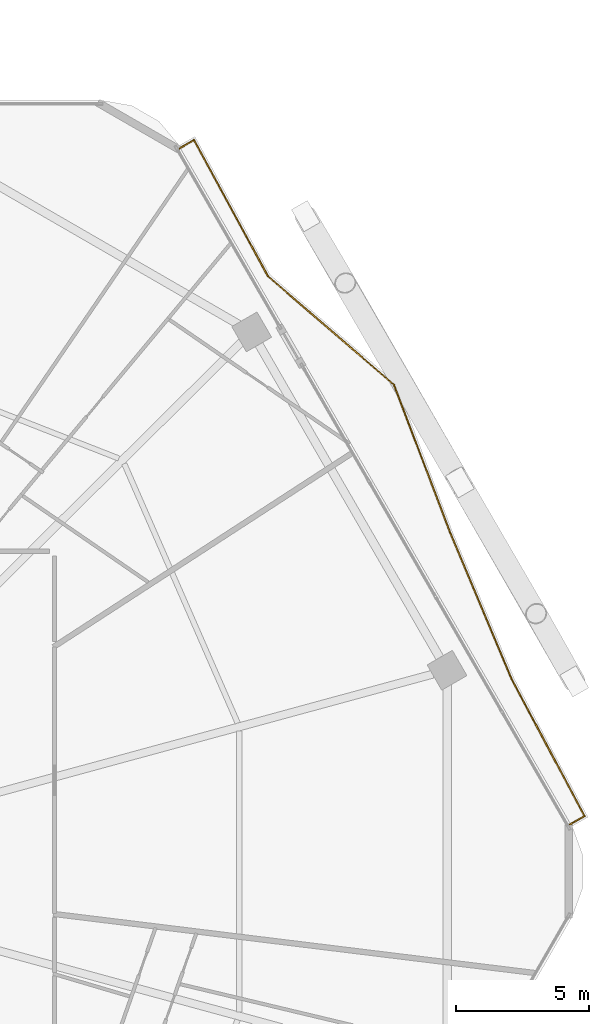
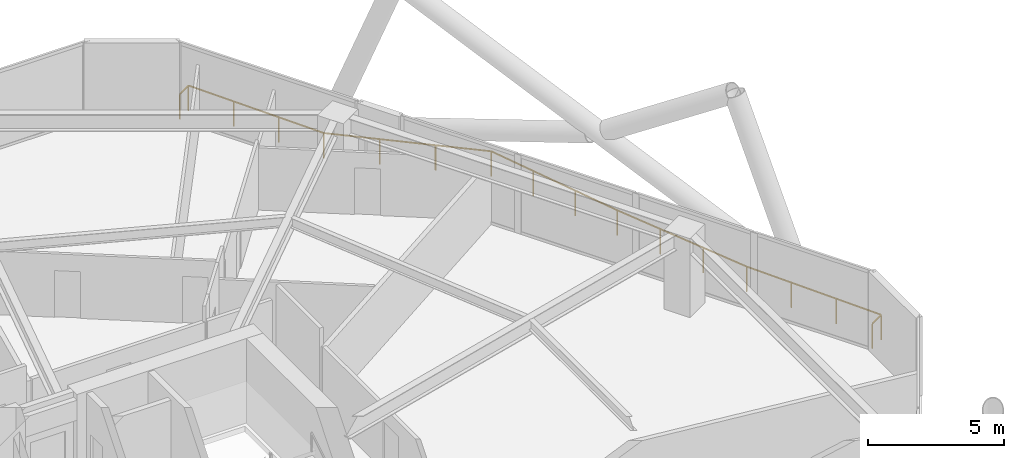
# One storey, part 35 of 35: 1 railing.
"""IFC4 building model written with IfcOpenShell, lengths in metres."""

from ifc_helpers import new_model, si_unit, direction, frame, origin, origin_2d, place, context, subcontext, project, spatial, rectangle, extrude, material, type_object, element, save


model = new_model("IFC4")

# Units and contexts
model_context = context("Model", 3, precision=1e-05, world=origin(), true_north=direction((0.0, 1.0)))
body_context = subcontext(model_context, "Body", "Model", "MODEL_VIEW")
ifc_project = project(units=[si_unit("LENGTHUNIT", "METRE"), si_unit("AREAUNIT", "SQUARE_METRE"), si_unit("VOLUMEUNIT", "CUBIC_METRE"), si_unit("PLANEANGLEUNIT", "RADIAN"), si_unit("MASSUNIT", "GRAM", prefix="KILO")], contexts=[model_context])

# Site, building, storey
site_placement = place(None, origin())
site = spatial("IfcSite", under=ifc_project, at=site_placement, CompositionType="ELEMENT")
building_placement = place(site_placement, origin())
building = spatial("IfcBuilding", under=site, at=building_placement, Name="Zuhravey Tower", CompositionType="ELEMENT")
storey_placement = place(building_placement, frame((0.0, 0.0, 122.800048828125)))
storey = spatial("IfcBuildingStorey", under=building, at=storey_placement, Name="L30", CompositionType="ELEMENT", Elevation=122.800048828125)

# Railing
ifc_material = material(Name="Stainless steel 316 and laminated glass", Category="steel")
railing_type = type_object("IfcRailingType", Name="Balcony & Terrace Guardrail 1150", PredefinedType="BALUSTRADE", material=ifc_material)
railing_placement = place(storey_placement, frame((53.7880859375, 59.27685546875, 0.0)))
element("IfcRailing", 1, at=railing_placement, inside=storey, type_object=railing_type, Name="L30 Face 1 Wave Balcony Guardrail GR1", PredefinedType="BALUSTRADE", context=body_context, shape_type="SweptSolid", body=[
    extrude(rectangle(XDim=0.048095703125, YDim=0.048095703125, at=origin_2d()), frame((0.001708984375, 0.0009765625, 1.1259765625), z_axis=(0.865924053096, 0.500175503469, 0.0), x_axis=(-0.500175503469, 0.865924053096, 0.0)), (0.0, 0.0, 1.0), 0.633544921875),
    extrude(rectangle(XDim=0.048095703125, YDim=0.048095703125, at=origin_2d()), frame((0.552978515625, 0.317138671875, 1.1259765625), z_axis=(0.477488803986, -0.878637833278, 0.0), x_axis=(0.878637833278, 0.477488803986, 0.0)), (0.0, 0.0, 1.0), 5.84521484375),
    extrude(rectangle(XDim=0.048095703125, YDim=0.048095703125, at=origin_2d()), frame((3.346435546875, -4.82177734375, 1.1259765625), z_axis=(0.757636806075, -0.652676390014, 0.0), x_axis=(0.652676390014, 0.757636806075, 0.0)), (0.0, 0.0, 1.0), 6.271728515625),
    extrude(rectangle(XDim=0.048095703125, YDim=0.048095703125, at=origin_2d()), frame((8.100341796875, -8.91845703125, 1.1259765625), z_axis=(0.354826374343, -0.934932213623, 0.0), x_axis=(0.934932213623, 0.354826374343, 0.0)), (0.0, 0.0, 1.0), 5.9814453125),
    extrude(rectangle(XDim=0.048095703125, YDim=0.048095703125, at=origin_2d()), frame((10.22412109375, -14.514404296875, 1.1259765625), z_axis=(0.387721394518, -0.921776610808, 0.0), x_axis=(0.921776610808, 0.387721394518, 0.0)), (0.0, 0.0, 1.0), 5.98046875),
    extrude(rectangle(XDim=0.048095703125, YDim=0.048095703125, at=origin_2d()), frame((12.544677734375, -20.030517578125, 1.1259765625), z_axis=(0.469271312141, -0.883054038891, 0.0), x_axis=(0.883054038891, 0.469271312141, 0.0)), (0.0, 0.0, 1.0), 5.8388671875),
    extrude(rectangle(XDim=0.048095703125, YDim=0.048095703125, at=origin_2d()), frame((15.283935546875, -25.189453125, 1.1259765625), z_axis=(-0.865945423257, -0.500138504756, 0.0), x_axis=(0.500138504756, -0.865945423257, 0.0)), (0.0, 0.0, 1.0), 0.639404296875),
    extrude(rectangle(XDim=0.0419921875, YDim=0.0419921875, at=origin_2d()), origin(), (0.0, 0.0, 1.0), 1.099853515625),
    extrude(rectangle(XDim=0.0419921875, YDim=0.0419921875, at=origin_2d()), frame((0.552001953125, 0.31884765625, 0.0)), (0.0, 0.0, 1.0), 1.099853515625),
    extrude(rectangle(XDim=0.0419921875, YDim=0.0419921875, at=origin_2d()), frame((1.48291015625, -1.394287109375, 0.0)), (0.0, 0.0, 1.0), 1.099853515625),
    extrude(rectangle(XDim=0.0419921875, YDim=0.0419921875, at=origin_2d()), frame((2.4140625, -3.107421875, 0.0)), (0.0, 0.0, 1.0), 1.099853515625),
    extrude(rectangle(XDim=0.0419921875, YDim=0.0419921875, at=origin_2d()), frame((3.344970703125, -4.820556640625, 0.0)), (0.0, 0.0, 1.0), 1.099853515625),
    extrude(rectangle(XDim=0.0419921875, YDim=0.0419921875, at=origin_2d()), frame((4.929931640625, -6.185791015625, 0.0)), (0.0, 0.0, 1.0), 1.099853515625),
    extrude(rectangle(XDim=0.0419921875, YDim=0.0419921875, at=origin_2d()), frame((6.5146484375, -7.55126953125, 0.0)), (0.0, 0.0, 1.0), 1.099853515625),
    extrude(rectangle(XDim=0.0419921875, YDim=0.0419921875, at=origin_2d()), frame((8.099609375, -8.91650390625, 0.0)), (0.0, 0.0, 1.0), 1.099853515625),
    extrude(rectangle(XDim=0.0419921875, YDim=0.0419921875, at=origin_2d()), frame((8.8076171875, -10.78173828125, 0.0)), (0.0, 0.0, 1.0), 1.099853515625),
    extrude(rectangle(XDim=0.0419921875, YDim=0.0419921875, at=origin_2d()), frame((9.515380859375, -12.647216796875, 0.0)), (0.0, 0.0, 1.0), 1.099853515625),
    extrude(rectangle(XDim=0.0419921875, YDim=0.0419921875, at=origin_2d()), frame((10.223388671875, -14.512451171875, 0.0)), (0.0, 0.0, 1.0), 1.099853515625),
    extrude(rectangle(XDim=0.0419921875, YDim=0.0419921875, at=origin_2d()), frame((10.996826171875, -16.351318359375, 0.0)), (0.0, 0.0, 1.0), 1.099853515625),
    extrude(rectangle(XDim=0.0419921875, YDim=0.0419921875, at=origin_2d()), frame((11.770263671875, -18.18994140625, 0.0)), (0.0, 0.0, 1.0), 1.099853515625),
    extrude(rectangle(XDim=0.0419921875, YDim=0.0419921875, at=origin_2d()), frame((12.543701171875, -20.02880859375, 0.0)), (0.0, 0.0, 1.0), 1.099853515625),
    extrude(rectangle(XDim=0.0419921875, YDim=0.0419921875, at=origin_2d()), frame((13.457763671875, -21.748779296875, 0.0)), (0.0, 0.0, 1.0), 1.099853515625),
    extrude(rectangle(XDim=0.0419921875, YDim=0.0419921875, at=origin_2d()), frame((14.37158203125, -23.468505859375, 0.0)), (0.0, 0.0, 1.0), 1.099853515625),
    extrude(rectangle(XDim=0.0419921875, YDim=0.0419921875, at=origin_2d()), frame((15.28564453125, -25.1884765625, 0.0)), (0.0, 0.0, 1.0), 1.099853515625),
    extrude(rectangle(XDim=0.0419921875, YDim=0.0419921875, at=origin_2d()), frame((14.728515625, -25.51025390625, 0.0)), (0.0, 0.0, 1.0), 1.099853515625),
])

save(model, "model.ifc")
